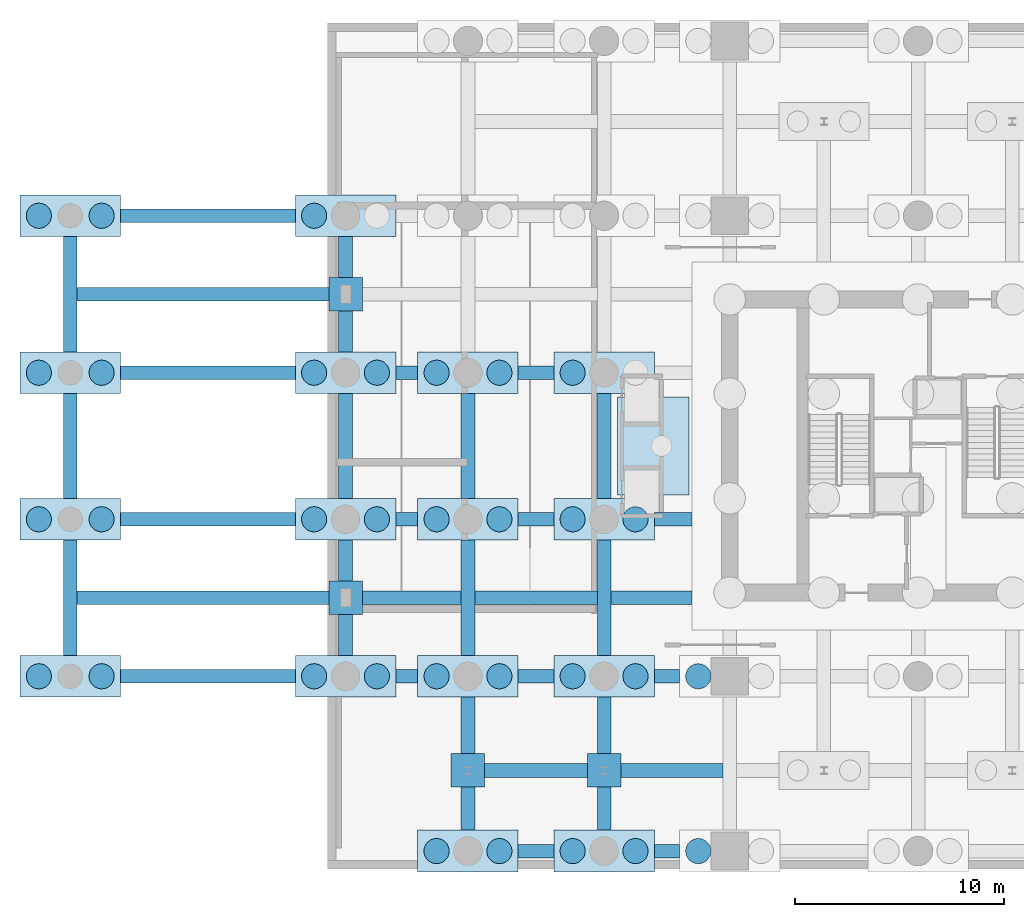
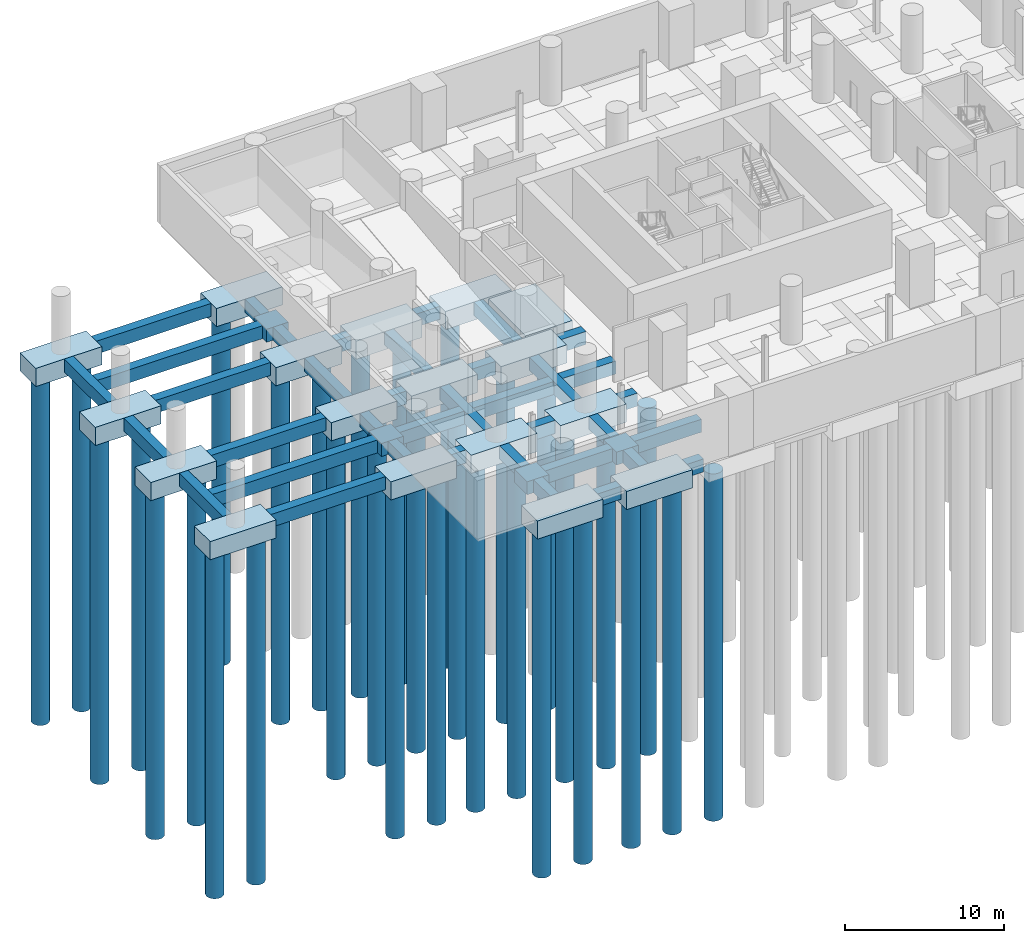
# One storey, part 1 of 12: 58 footings, 32 piles.
"""IFC4 building model written with IfcOpenShell, lengths in metres."""

from ifc_helpers import new_model, si_unit, direction, frame, origin, origin_2d, place, context, subcontext, project, spatial, polyline, circle, outline, extrude, material, layer, layer_set, material_profile, profile_set, type_object, element, save


model = new_model("IFC4")

# Units and contexts
model_context = context("Model", 3, precision=1e-05, world=origin(), true_north=direction((0.0, 1.0)))
body_context = subcontext(model_context, "Body", "Model", "MODEL_VIEW")
ifc_project = project(units=[si_unit("LENGTHUNIT", "METRE"), si_unit("AREAUNIT", "SQUARE_METRE"), si_unit("VOLUMEUNIT", "CUBIC_METRE"), si_unit("PLANEANGLEUNIT", "RADIAN"), si_unit("MASSUNIT", "GRAM", prefix="KILO")], contexts=[model_context])

# Site, building, storey
site_placement = place(None, origin())
site = spatial("IfcSite", under=ifc_project, at=site_placement, CompositionType="ELEMENT")
building_placement = place(site_placement, origin())
building = spatial("IfcBuilding", under=site, at=building_placement, Name="Veldorim Arch Residences", CompositionType="ELEMENT")
storey_placement = place(building_placement, frame((0.0, 0.0, -9.0)))
storey = spatial("IfcBuildingStorey", under=building, at=storey_placement, Name="B2", CompositionType="ELEMENT", Elevation=-9.0)

# Piles
ifc_material_1 = material(Name="Concrete C50/60", Category="concrete")
ifc_material_profile = material_profile(ifc_material_1, circle(Radius=0.60009765625, at=origin_2d()), Name="PILE_1200")
ifc_profile_set = profile_set([ifc_material_profile], Name="Concrete C50/60")
pile_type = type_object("IfcPileType", Name="Bored Rock-Socketed Pile 1200", PredefinedType="BORED", material=ifc_profile_set)
for number, where, z_axis, x_axis, name in (
    (1, (3.14990234375, 13.0, -1.25), (0.0, 0.0, -1.0), (1.0, 0.0, 0.0), "Cap 01 bored pile W"),
    (2, (6.14990234375, 13.0, -1.25), (0.0, 0.0, -1.0), (1.0, 0.0, 0.0), "Cap 01 bored pile E"),
    (3, (3.14990234375, 20.5, -1.25), (0.0, 0.0, -1.0), (1.0, 0.0, 0.0), "Cap 02 bored pile W"),
    (4, (6.14990234375, 20.5, -1.25), (0.0, 0.0, -1.0), (1.0, 0.0, 0.0), "Cap 02 bored pile E"),
    (5, (3.14990234375, 27.5, -1.25), (0.0, 0.0, -1.0), (1.0, 0.0, 0.0), "Cap 03 bored pile W"),
    (6, (6.14990234375, 27.5, -1.25), (0.0, 0.0, -1.0), (1.0, 0.0, 0.0), "Cap 03 bored pile E"),
    (7, (3.14990234375, 35.0, -1.25), (0.0, 0.0, -1.0), (1.0, 0.0, 0.0), "Cap 04 bored pile W"),
    (8, (9.0, 4.64990234375, -1.25), (0.0, 0.0, -1.0), (1.0, 0.0, 0.0), "Cap 05 bored pile W"),
    (9, (12.0, 4.64990234375, -1.25), (0.0, 0.0, -1.0), (1.0, 0.0, 0.0), "Cap 05 bored pile E"),
    (10, (9.0, 13.0, -1.25), (0.0, 0.0, -1.0), (1.0, 0.0, 0.0), "Cap 06 bored pile W"),
    (11, (12.0, 13.0, -1.25), (0.0, 0.0, -1.0), (1.0, 0.0, 0.0), "Cap 06 bored pile E"),
    (12, (9.0, 20.5, -1.25), (0.0, 0.0, -1.0), (1.0, 0.0, 0.0), "Cap 07 bored pile W"),
    (13, (12.0, 20.5, -1.25), (0.0, 0.0, -1.0), (1.0, 0.0, 0.0), "Cap 07 bored pile E"),
    (14, (9.0, 27.5, -1.25), (0.0, 0.0, -1.0), (1.0, 0.0, 0.0), "Cap 08 bored pile W"),
    (15, (12.0, 27.5, -1.25), (0.0, 0.0, -1.0), (1.0, 0.0, 0.0), "Cap 08 bored pile E"),
    (16, (15.5, 4.64990234375, -1.25), (0.0, 0.0, -1.0), (1.0, 0.0, 0.0), "Cap 11 bored pile W"),
    (17, (18.5, 4.64990234375, -1.25), (0.0, 0.0, -1.0), (1.0, 0.0, 0.0), "Cap 11 bored pile E"),
    (18, (15.5, 13.0, -1.25), (0.0, 0.0, -1.0), (1.0, 0.0, 0.0), "Cap 12 bored pile W"),
    (19, (18.5, 13.0, -1.25), (0.0, 0.0, -1.0), (1.0, 0.0, 0.0), "Cap 12 bored pile E"),
    (20, (15.5, 20.5, -1.25), (0.0, 0.0, -1.0), (1.0, 0.0, 0.0), "Cap 13 bored pile W"),
    (21, (18.5, 20.5, -1.25), (0.0, 0.0, -1.0), (1.0, 0.0, 0.0), "Cap 13 bored pile E"),
    (22, (15.5, 27.5, -1.25), (0.0, 0.0, -1.0), (1.0, 0.0, 0.0), "Cap 14 bored pile W"),
    (23, (21.5, 4.64990234375, -1.25), (0.0, 0.0, -1.0), (1.0, 0.0, 0.0), "Cap 33 bored pile W"),
    (24, (21.5, 13.0, -1.25), (0.0, 0.0, -1.0), (1.0, 0.0, 0.0), "Cap 34 bored pile W"),
    (25, (-10.0, 13.0, -1.25), (0.0, 0.0, -1.0), (1.0, 0.0, 0.0), "Cap 45 bored pile W"),
    (26, (-7.0, 13.0, -1.25), (0.0, 0.0, -1.0), (1.0, 0.0, 0.0), "Cap 45 bored pile E"),
    (27, (-10.0, 20.5, -1.25), (0.0, 0.0, -1.0), (1.0, 0.0, 0.0), "Cap 46 bored pile W"),
    (28, (-7.0, 20.5, -1.25), (0.0, 0.0, -1.0), (1.0, 0.0, 0.0), "Cap 46 bored pile E"),
    (29, (-10.0, 27.5, -1.25), (0.0, 0.0, -1.0), (1.0, 0.0, 0.0), "Cap 47 bored pile W"),
    (30, (-7.0, 27.5, -1.25), (0.0, 0.0, -1.0), (1.0, 0.0, 0.0), "Cap 47 bored pile E"),
    (31, (-10.0, 35.0, -1.25), (0.0, 0.0, -1.0), (1.0, 0.0, 0.0), "Cap 48 bored pile W"),
    (32, (-7.0, 35.0, -1.25), (0.0, 0.0, -1.0), (1.0, 0.0, 0.0), "Cap 48 bored pile E"),
):
    element("IfcPile", number, at=place(storey_placement, frame(where, z_axis=z_axis, x_axis=x_axis)), inside=storey, type_object=pile_type, Name=name, PredefinedType="BORED", context=body_context, shape_type="SweptSolid", body=[
        extrude(circle(Radius=0.60009765625, at=origin_2d()), origin(), (0.0, 0.0, 1.0), 26.75),
    ])

# Footings
ifc_material_2 = material(Name="Concrete C50/60", Category="concrete")
ifc_layer_1 = layer(ifc_material_2, 1.0, Name="Continuous Ground Tie Beam 650x1000")
ifc_layer_set_1 = layer_set([ifc_layer_1], Name="Concrete C50/60")
footing_type_1 = type_object("IfcFootingType", Name="Continuous Ground Tie Beam 650x1000", PredefinedType="FOOTING_BEAM", material=ifc_layer_set_1)
footing_1_placement = place(storey_placement, frame((0.0, 0.0, -1.0)))
element("IfcFooting", 33, at=footing_1_placement, inside=storey, type_object=footing_type_1, Name="North-south ground tie beam 001", PredefinedType="FOOTING_BEAM", context=body_context, shape_type="SweptSolid", body=[
    extrude(outline(polyline([(-8.824951171875, 14.0), (-8.175048828125, 14.0), (-8.175048828125, 19.5), (-8.824951171875, 19.5), (-8.824951171875, 14.0)])), origin(), (0.0, 0.0, 1.0), 1.0),
])
footing_2_placement = place(storey_placement, frame((0.0, 0.0, -1.0)))
element("IfcFooting", 34, at=footing_2_placement, inside=storey, type_object=footing_type_1, Name="North-south ground tie beam 002", PredefinedType="FOOTING_BEAM", context=body_context, shape_type="SweptSolid", body=[
    extrude(outline(polyline([(-8.824951171875, 21.5), (-8.175048828125, 21.5), (-8.175048828125, 26.5), (-8.824951171875, 26.5), (-8.824951171875, 21.5)])), origin(), (0.0, 0.0, 1.0), 1.0),
])
footing_3_placement = place(storey_placement, frame((0.0, 0.0, -1.0)))
element("IfcFooting", 35, at=footing_3_placement, inside=storey, type_object=footing_type_1, Name="North-south ground tie beam 003", PredefinedType="FOOTING_BEAM", context=body_context, shape_type="SweptSolid", body=[
    extrude(outline(polyline([(-8.824951171875, 28.5), (-8.175048828125, 28.5), (-8.175048828125, 34.0), (-8.824951171875, 34.0), (-8.824951171875, 28.5)])), origin(), (0.0, 0.0, 1.0), 1.0),
])
footing_4_placement = place(storey_placement, frame((0.0, 0.0, -1.0)))
element("IfcFooting", 36, at=footing_4_placement, inside=storey, type_object=footing_type_1, Name="North-south ground tie beam 004", PredefinedType="FOOTING_BEAM", context=body_context, shape_type="SweptSolid", body=[
    extrude(outline(polyline([(4.324951171875, 14.0), (4.97509765625, 14.0), (4.97509765625, 15.949951171875), (4.324951171875, 15.949951171875), (4.324951171875, 14.0)])), origin(), (0.0, 0.0, 1.0), 1.0),
])
footing_5_placement = place(storey_placement, frame((0.0, 0.0, -1.0)))
element("IfcFooting", 37, at=footing_5_placement, inside=storey, type_object=footing_type_1, Name="North-south ground tie beam 005", PredefinedType="FOOTING_BEAM", context=body_context, shape_type="SweptSolid", body=[
    extrude(outline(polyline([(4.324951171875, 17.550048828125), (4.97509765625, 17.550048828125), (4.97509765625, 19.5), (4.324951171875, 19.5), (4.324951171875, 17.550048828125)])), origin(), (0.0, 0.0, 1.0), 1.0),
])
footing_6_placement = place(storey_placement, frame((0.0, 0.0, -1.0)))
element("IfcFooting", 38, at=footing_6_placement, inside=storey, type_object=footing_type_1, Name="North-south ground tie beam 006", PredefinedType="FOOTING_BEAM", context=body_context, shape_type="SweptSolid", body=[
    extrude(outline(polyline([(4.324951171875, 21.5), (4.97509765625, 21.5), (4.97509765625, 26.5), (4.324951171875, 26.5), (4.324951171875, 21.5)])), origin(), (0.0, 0.0, 1.0), 1.0),
])
footing_7_placement = place(storey_placement, frame((0.0, 0.0, -1.0)))
element("IfcFooting", 39, at=footing_7_placement, inside=storey, type_object=footing_type_1, Name="North-south ground tie beam 007", PredefinedType="FOOTING_BEAM", context=body_context, shape_type="SweptSolid", body=[
    extrude(outline(polyline([(4.324951171875, 28.5), (4.97509765625, 28.5), (4.97509765625, 30.449951171875), (4.324951171875, 30.449951171875), (4.324951171875, 28.5)])), origin(), (0.0, 0.0, 1.0), 1.0),
])
footing_8_placement = place(storey_placement, frame((0.0, 0.0, -1.0)))
element("IfcFooting", 40, at=footing_8_placement, inside=storey, type_object=footing_type_1, Name="North-south ground tie beam 008", PredefinedType="FOOTING_BEAM", context=body_context, shape_type="SweptSolid", body=[
    extrude(outline(polyline([(4.324951171875, 32.050048828125), (4.97509765625, 32.050048828125), (4.97509765625, 34.0), (4.324951171875, 34.0), (4.324951171875, 32.050048828125)])), origin(), (0.0, 0.0, 1.0), 1.0),
])
footing_9_placement = place(storey_placement, frame((0.0, 0.0, -1.0)))
element("IfcFooting", 41, at=footing_9_placement, inside=storey, type_object=footing_type_1, Name="North-south ground tie beam 009", PredefinedType="FOOTING_BEAM", context=body_context, shape_type="SweptSolid", body=[
    extrude(outline(polyline([(10.175048828125, 5.64990234375), (10.824951171875, 5.64990234375), (10.824951171875, 7.699951171875), (10.175048828125, 7.699951171875), (10.175048828125, 5.64990234375)])), origin(), (0.0, 0.0, 1.0), 1.0),
])
footing_10_placement = place(storey_placement, frame((0.0, 0.0, -1.0)))
element("IfcFooting", 42, at=footing_10_placement, inside=storey, type_object=footing_type_1, Name="North-south ground tie beam 010", PredefinedType="FOOTING_BEAM", context=body_context, shape_type="SweptSolid", body=[
    extrude(outline(polyline([(10.175048828125, 9.300048828125), (10.824951171875, 9.300048828125), (10.824951171875, 12.0), (10.175048828125, 12.0), (10.175048828125, 9.300048828125)])), origin(), (0.0, 0.0, 1.0), 1.0),
])
footing_11_placement = place(storey_placement, frame((0.0, 0.0, -1.0)))
element("IfcFooting", 43, at=footing_11_placement, inside=storey, type_object=footing_type_1, Name="North-south ground tie beam 011", PredefinedType="FOOTING_BEAM", context=body_context, shape_type="SweptSolid", body=[
    extrude(outline(polyline([(10.175048828125, 14.0), (10.824951171875, 14.0), (10.824951171875, 19.5), (10.175048828125, 19.5), (10.175048828125, 14.0)])), origin(), (0.0, 0.0, 1.0), 1.0),
])
footing_12_placement = place(storey_placement, frame((0.0, 0.0, -1.0)))
element("IfcFooting", 44, at=footing_12_placement, inside=storey, type_object=footing_type_1, Name="North-south ground tie beam 012", PredefinedType="FOOTING_BEAM", context=body_context, shape_type="SweptSolid", body=[
    extrude(outline(polyline([(10.175048828125, 21.5), (10.824951171875, 21.5), (10.824951171875, 26.5), (10.175048828125, 26.5), (10.175048828125, 21.5)])), origin(), (0.0, 0.0, 1.0), 1.0),
])
footing_13_placement = place(storey_placement, frame((0.0, 0.0, -1.0)))
element("IfcFooting", 45, at=footing_13_placement, inside=storey, type_object=footing_type_1, Name="North-south ground tie beam 015", PredefinedType="FOOTING_BEAM", context=body_context, shape_type="SweptSolid", body=[
    extrude(outline(polyline([(16.675048828125, 5.64990234375), (17.324951171875, 5.64990234375), (17.324951171875, 7.699951171875), (16.675048828125, 7.699951171875), (16.675048828125, 5.64990234375)])), origin(), (0.0, 0.0, 1.0), 1.0),
])
footing_14_placement = place(storey_placement, frame((0.0, 0.0, -1.0)))
element("IfcFooting", 46, at=footing_14_placement, inside=storey, type_object=footing_type_1, Name="North-south ground tie beam 016", PredefinedType="FOOTING_BEAM", context=body_context, shape_type="SweptSolid", body=[
    extrude(outline(polyline([(16.675048828125, 9.300048828125), (17.324951171875, 9.300048828125), (17.324951171875, 12.0), (16.675048828125, 12.0), (16.675048828125, 9.300048828125)])), origin(), (0.0, 0.0, 1.0), 1.0),
])
footing_15_placement = place(storey_placement, frame((0.0, 0.0, -1.0)))
element("IfcFooting", 47, at=footing_15_placement, inside=storey, type_object=footing_type_1, Name="North-south ground tie beam 017", PredefinedType="FOOTING_BEAM", context=body_context, shape_type="SweptSolid", body=[
    extrude(outline(polyline([(16.675048828125, 14.0), (17.324951171875, 14.0), (17.324951171875, 19.5), (16.675048828125, 19.5), (16.675048828125, 14.0)])), origin(), (0.0, 0.0, 1.0), 1.0),
])
footing_16_placement = place(storey_placement, frame((0.0, 0.0, -1.0)))
element("IfcFooting", 48, at=footing_16_placement, inside=storey, type_object=footing_type_1, Name="North-south ground tie beam 018", PredefinedType="FOOTING_BEAM", context=body_context, shape_type="SweptSolid", body=[
    extrude(outline(polyline([(16.675048828125, 21.5), (17.324951171875, 21.5), (17.324951171875, 26.5), (16.675048828125, 26.5), (16.675048828125, 21.5)])), origin(), (0.0, 0.0, 1.0), 1.0),
])
footing_17_placement = place(storey_placement, frame((0.0, 0.0, -1.0)))
element("IfcFooting", 49, at=footing_17_placement, inside=storey, type_object=footing_type_1, Name="East-west ground tie beam 059", PredefinedType="FOOTING_BEAM", context=body_context, shape_type="SweptSolid", body=[
    extrude(outline(polyline([(12.89990234375, 4.324951171875), (14.60009765625, 4.324951171875), (14.60009765625, 4.97509765625), (12.89990234375, 4.97509765625), (12.89990234375, 4.324951171875)])), origin(), (0.0, 0.0, 1.0), 1.0),
])
footing_18_placement = place(storey_placement, frame((0.0, 0.0, -1.0)))
element("IfcFooting", 50, at=footing_18_placement, inside=storey, type_object=footing_type_1, Name="East-west ground tie beam 060", PredefinedType="FOOTING_BEAM", context=body_context, shape_type="SweptSolid", body=[
    extrude(outline(polyline([(19.39990234375, 4.324951171875), (20.60009765625, 4.324951171875), (20.60009765625, 4.97509765625), (19.39990234375, 4.97509765625), (19.39990234375, 4.324951171875)])), origin(), (0.0, 0.0, 1.0), 1.0),
])
footing_19_placement = place(storey_placement, frame((0.0, 0.0, -1.0)))
element("IfcFooting", 51, at=footing_19_placement, inside=storey, type_object=footing_type_1, Name="East-west ground tie beam 065", PredefinedType="FOOTING_BEAM", context=body_context, shape_type="SweptSolid", body=[
    extrude(outline(polyline([(11.300048828125, 8.175048828125), (16.199951171875, 8.175048828125), (16.199951171875, 8.824951171875), (11.300048828125, 8.824951171875), (11.300048828125, 8.175048828125)])), origin(), (0.0, 0.0, 1.0), 1.0),
])
footing_20_placement = place(storey_placement, frame((0.0, 0.0, -1.0)))
element("IfcFooting", 52, at=footing_20_placement, inside=storey, type_object=footing_type_1, Name="East-west ground tie beam 066", PredefinedType="FOOTING_BEAM", context=body_context, shape_type="SweptSolid", body=[
    extrude(outline(polyline([(17.800048828125, 8.175048828125), (22.675048828125, 8.175048828125), (22.675048828125, 8.824951171875), (17.800048828125, 8.824951171875), (17.800048828125, 8.175048828125)])), origin(), (0.0, 0.0, 1.0), 1.0),
])
footing_21_placement = place(storey_placement, frame((0.0, 0.0, -1.0)))
element("IfcFooting", 53, at=footing_21_placement, inside=storey, type_object=footing_type_1, Name="East-west ground tie beam 073", PredefinedType="FOOTING_BEAM", context=body_context, shape_type="SweptSolid", body=[
    extrude(outline(polyline([(-6.10009765625, 12.675048828125), (2.25, 12.675048828125), (2.25, 13.324951171875), (-6.10009765625, 13.324951171875), (-6.10009765625, 12.675048828125)])), origin(), (0.0, 0.0, 1.0), 1.0),
])
footing_22_placement = place(storey_placement, frame((0.0, 0.0, -1.0)))
element("IfcFooting", 54, at=footing_22_placement, inside=storey, type_object=footing_type_1, Name="East-west ground tie beam 074", PredefinedType="FOOTING_BEAM", context=body_context, shape_type="SweptSolid", body=[
    extrude(outline(polyline([(7.050048828125, 12.675048828125), (8.10009765625, 12.675048828125), (8.10009765625, 13.324951171875), (7.050048828125, 13.324951171875), (7.050048828125, 12.675048828125)])), origin(), (0.0, 0.0, 1.0), 1.0),
])
footing_23_placement = place(storey_placement, frame((0.0, 0.0, -1.0)))
element("IfcFooting", 55, at=footing_23_placement, inside=storey, type_object=footing_type_1, Name="East-west ground tie beam 075", PredefinedType="FOOTING_BEAM", context=body_context, shape_type="SweptSolid", body=[
    extrude(outline(polyline([(12.89990234375, 12.675048828125), (14.60009765625, 12.675048828125), (14.60009765625, 13.324951171875), (12.89990234375, 13.324951171875), (12.89990234375, 12.675048828125)])), origin(), (0.0, 0.0, 1.0), 1.0),
])
footing_24_placement = place(storey_placement, frame((0.0, 0.0, -1.0)))
element("IfcFooting", 56, at=footing_24_placement, inside=storey, type_object=footing_type_1, Name="East-west ground tie beam 076", PredefinedType="FOOTING_BEAM", context=body_context, shape_type="SweptSolid", body=[
    extrude(outline(polyline([(19.39990234375, 12.675048828125), (20.60009765625, 12.675048828125), (20.60009765625, 13.324951171875), (19.39990234375, 13.324951171875), (19.39990234375, 12.675048828125)])), origin(), (0.0, 0.0, 1.0), 1.0),
])
footing_25_placement = place(storey_placement, frame((0.0, 0.0, -1.0)))
element("IfcFooting", 57, at=footing_25_placement, inside=storey, type_object=footing_type_1, Name="East-west ground tie beam 085", PredefinedType="FOOTING_BEAM", context=body_context, shape_type="SweptSolid", body=[
    extrude(outline(polyline([(-8.175048828125, 16.425048828125), (3.85009765625, 16.425048828125), (3.85009765625, 17.074951171875), (-8.175048828125, 17.074951171875), (-8.175048828125, 16.425048828125)])), origin(), (0.0, 0.0, 1.0), 1.0),
])
footing_26_placement = place(storey_placement, frame((0.0, 0.0, -1.0)))
element("IfcFooting", 58, at=footing_26_placement, inside=storey, type_object=footing_type_1, Name="East-west ground tie beam 086", PredefinedType="FOOTING_BEAM", context=body_context, shape_type="SweptSolid", body=[
    extrude(outline(polyline([(5.449951171875, 16.425048828125), (10.175048828125, 16.425048828125), (10.175048828125, 17.074951171875), (5.449951171875, 17.074951171875), (5.449951171875, 16.425048828125)])), origin(), (0.0, 0.0, 1.0), 1.0),
])
footing_27_placement = place(storey_placement, frame((0.0, 0.0, -1.0)))
element("IfcFooting", 59, at=footing_27_placement, inside=storey, type_object=footing_type_1, Name="East-west ground tie beam 087", PredefinedType="FOOTING_BEAM", context=body_context, shape_type="SweptSolid", body=[
    extrude(outline(polyline([(10.824951171875, 16.425048828125), (16.675048828125, 16.425048828125), (16.675048828125, 17.074951171875), (10.824951171875, 17.074951171875), (10.824951171875, 16.425048828125)])), origin(), (0.0, 0.0, 1.0), 1.0),
])
footing_28_placement = place(storey_placement, frame((0.0, 0.0, -1.0)))
element("IfcFooting", 60, at=footing_28_placement, inside=storey, type_object=footing_type_1, Name="East-west ground tie beam 088", PredefinedType="FOOTING_BEAM", context=body_context, shape_type="SweptSolid", body=[
    extrude(outline(polyline([(17.324951171875, 16.425048828125), (21.199951171875, 16.425048828125), (21.199951171875, 17.074951171875), (17.324951171875, 17.074951171875), (17.324951171875, 16.425048828125)])), origin(), (0.0, 0.0, 1.0), 1.0),
])
footing_29_placement = place(storey_placement, frame((0.0, 0.0, -1.0)))
element("IfcFooting", 61, at=footing_29_placement, inside=storey, type_object=footing_type_1, Name="East-west ground tie beam 093", PredefinedType="FOOTING_BEAM", context=body_context, shape_type="SweptSolid", body=[
    extrude(outline(polyline([(-6.10009765625, 20.175048828125), (2.25, 20.175048828125), (2.25, 20.824951171875), (-6.10009765625, 20.824951171875), (-6.10009765625, 20.175048828125)])), origin(), (0.0, 0.0, 1.0), 1.0),
])
footing_30_placement = place(storey_placement, frame((0.0, 0.0, -1.0)))
element("IfcFooting", 62, at=footing_30_placement, inside=storey, type_object=footing_type_1, Name="East-west ground tie beam 094", PredefinedType="FOOTING_BEAM", context=body_context, shape_type="SweptSolid", body=[
    extrude(outline(polyline([(7.050048828125, 20.175048828125), (8.10009765625, 20.175048828125), (8.10009765625, 20.824951171875), (7.050048828125, 20.824951171875), (7.050048828125, 20.175048828125)])), origin(), (0.0, 0.0, 1.0), 1.0),
])
footing_31_placement = place(storey_placement, frame((0.0, 0.0, -1.0)))
element("IfcFooting", 63, at=footing_31_placement, inside=storey, type_object=footing_type_1, Name="East-west ground tie beam 095", PredefinedType="FOOTING_BEAM", context=body_context, shape_type="SweptSolid", body=[
    extrude(outline(polyline([(12.89990234375, 20.175048828125), (14.60009765625, 20.175048828125), (14.60009765625, 20.824951171875), (12.89990234375, 20.824951171875), (12.89990234375, 20.175048828125)])), origin(), (0.0, 0.0, 1.0), 1.0),
])
footing_32_placement = place(storey_placement, frame((0.0, 0.0, -1.0)))
element("IfcFooting", 64, at=footing_32_placement, inside=storey, type_object=footing_type_1, Name="East-west ground tie beam 096", PredefinedType="FOOTING_BEAM", context=body_context, shape_type="SweptSolid", body=[
    extrude(outline(polyline([(19.39990234375, 20.175048828125), (21.199951171875, 20.175048828125), (21.199951171875, 20.824951171875), (19.39990234375, 20.824951171875), (19.39990234375, 20.175048828125)])), origin(), (0.0, 0.0, 1.0), 1.0),
])
footing_33_placement = place(storey_placement, frame((0.0, 0.0, -1.0)))
element("IfcFooting", 65, at=footing_33_placement, inside=storey, type_object=footing_type_1, Name="East-west ground tie beam 101", PredefinedType="FOOTING_BEAM", context=body_context, shape_type="SweptSolid", body=[
    extrude(outline(polyline([(-6.10009765625, 27.175048828125), (2.25, 27.175048828125), (2.25, 27.824951171875), (-6.10009765625, 27.824951171875), (-6.10009765625, 27.175048828125)])), origin(), (0.0, 0.0, 1.0), 1.0),
])
footing_34_placement = place(storey_placement, frame((0.0, 0.0, -1.0)))
element("IfcFooting", 66, at=footing_34_placement, inside=storey, type_object=footing_type_1, Name="East-west ground tie beam 102", PredefinedType="FOOTING_BEAM", context=body_context, shape_type="SweptSolid", body=[
    extrude(outline(polyline([(7.050048828125, 27.175048828125), (8.10009765625, 27.175048828125), (8.10009765625, 27.824951171875), (7.050048828125, 27.824951171875), (7.050048828125, 27.175048828125)])), origin(), (0.0, 0.0, 1.0), 1.0),
])
footing_35_placement = place(storey_placement, frame((0.0, 0.0, -1.0)))
element("IfcFooting", 67, at=footing_35_placement, inside=storey, type_object=footing_type_1, Name="East-west ground tie beam 103", PredefinedType="FOOTING_BEAM", context=body_context, shape_type="SweptSolid", body=[
    extrude(outline(polyline([(12.89990234375, 27.175048828125), (14.60009765625, 27.175048828125), (14.60009765625, 27.824951171875), (12.89990234375, 27.824951171875), (12.89990234375, 27.175048828125)])), origin(), (0.0, 0.0, 1.0), 1.0),
])
footing_36_placement = place(storey_placement, frame((0.0, 0.0, -1.0)))
element("IfcFooting", 68, at=footing_36_placement, inside=storey, type_object=footing_type_1, Name="East-west ground tie beam 109", PredefinedType="FOOTING_BEAM", context=body_context, shape_type="SweptSolid", body=[
    extrude(outline(polyline([(-8.175048828125, 30.925048828125), (3.85009765625, 30.925048828125), (3.85009765625, 31.574951171875), (-8.175048828125, 31.574951171875), (-8.175048828125, 30.925048828125)])), origin(), (0.0, 0.0, 1.0), 1.0),
])
footing_37_placement = place(storey_placement, frame((0.0, 0.0, -1.0)))
element("IfcFooting", 69, at=footing_37_placement, inside=storey, type_object=footing_type_1, Name="East-west ground tie beam 117", PredefinedType="FOOTING_BEAM", context=body_context, shape_type="SweptSolid", body=[
    extrude(outline(polyline([(-6.10009765625, 34.675048828125), (2.25, 34.675048828125), (2.25, 35.324951171875), (-6.10009765625, 35.324951171875), (-6.10009765625, 34.675048828125)])), origin(), (0.0, 0.0, 1.0), 1.0),
])
ifc_material_3 = material(Name="Concrete C50/60", Category="concrete")
ifc_layer_2 = layer(ifc_material_3, 1.39990234375, Name="Infill Two-Pile Cap 4300x1800x1400")
ifc_layer_set_2 = layer_set([ifc_layer_2], Name="Concrete C50/60")
footing_type_2 = type_object("IfcFootingType", Name="Infill Two-Pile Cap 4300x1800x1400", PredefinedType="PILE_CAP", material=ifc_layer_set_2)
footing_38_placement = place(storey_placement, frame((0.0, 0.0, -1.39990234375)))
element("IfcFooting", 70, at=footing_38_placement, inside=storey, type_object=footing_type_2, Name="Clinic lift core bored-pile cap", PredefinedType="PILE_CAP", context=body_context, shape_type="SweptSolid", body=[
    extrude(outline(polyline([(17.64990234375, 21.64990234375), (21.050048828125, 21.64990234375), (21.050048828125, 26.35009765625), (17.64990234375, 26.35009765625), (17.64990234375, 21.64990234375)])), origin(), (0.0, 0.0, 1.0), 1.39990234375),
])
ifc_material_4 = material(Name="Concrete C50/60", Category="concrete")
ifc_layer_3 = layer(ifc_material_4, 1.39990234375, Name="Perimeter Two-Pile Cap 4800x2000x1400")
ifc_layer_set_3 = layer_set([ifc_layer_3], Name="Concrete C50/60")
footing_type_3 = type_object("IfcFootingType", Name="Perimeter Two-Pile Cap 4800x2000x1400", PredefinedType="PILE_CAP", material=ifc_layer_set_3)
footing_39_placement = place(storey_placement, frame((0.0, 0.0, -1.39990234375)))
element("IfcFooting", 71, at=footing_39_placement, inside=storey, type_object=footing_type_3, Name="Perimeter two-pile cap 01", PredefinedType="PILE_CAP", context=body_context, shape_type="SweptSolid", body=[
    extrude(outline(polyline([(2.25, 12.0), (7.050048828125, 12.0), (7.050048828125, 14.0), (2.25, 14.0), (2.25, 12.0)])), origin(), (0.0, 0.0, 1.0), 1.39990234375),
])
footing_40_placement = place(storey_placement, frame((0.0, 0.0, -1.39990234375)))
element("IfcFooting", 72, at=footing_40_placement, inside=storey, type_object=footing_type_3, Name="Perimeter two-pile cap 02", PredefinedType="PILE_CAP", context=body_context, shape_type="SweptSolid", body=[
    extrude(outline(polyline([(2.25, 19.5), (7.050048828125, 19.5), (7.050048828125, 21.5), (2.25, 21.5), (2.25, 19.5)])), origin(), (0.0, 0.0, 1.0), 1.39990234375),
])
footing_41_placement = place(storey_placement, frame((0.0, 0.0, -1.39990234375)))
element("IfcFooting", 73, at=footing_41_placement, inside=storey, type_object=footing_type_3, Name="Perimeter two-pile cap 03", PredefinedType="PILE_CAP", context=body_context, shape_type="SweptSolid", body=[
    extrude(outline(polyline([(2.25, 26.5), (7.050048828125, 26.5), (7.050048828125, 28.5), (2.25, 28.5), (2.25, 26.5)])), origin(), (0.0, 0.0, 1.0), 1.39990234375),
])
footing_42_placement = place(storey_placement, frame((0.0, 0.0, -1.39990234375)))
element("IfcFooting", 74, at=footing_42_placement, inside=storey, type_object=footing_type_3, Name="Perimeter two-pile cap 04", PredefinedType="PILE_CAP", context=body_context, shape_type="SweptSolid", body=[
    extrude(outline(polyline([(2.25, 34.0), (7.050048828125, 34.0), (7.050048828125, 36.0), (2.25, 36.0), (2.25, 34.0)])), origin(), (0.0, 0.0, 1.0), 1.39990234375),
])
footing_43_placement = place(storey_placement, frame((0.0, 0.0, -1.39990234375)))
element("IfcFooting", 75, at=footing_43_placement, inside=storey, type_object=footing_type_3, Name="Perimeter two-pile cap 05", PredefinedType="PILE_CAP", context=body_context, shape_type="SweptSolid", body=[
    extrude(outline(polyline([(8.10009765625, 3.64990234375), (12.89990234375, 3.64990234375), (12.89990234375, 5.64990234375), (8.10009765625, 5.64990234375), (8.10009765625, 3.64990234375)])), origin(), (0.0, 0.0, 1.0), 1.39990234375),
])
footing_44_placement = place(storey_placement, frame((0.0, 0.0, -1.39990234375)))
element("IfcFooting", 76, at=footing_44_placement, inside=storey, type_object=footing_type_3, Name="Perimeter two-pile cap 06", PredefinedType="PILE_CAP", context=body_context, shape_type="SweptSolid", body=[
    extrude(outline(polyline([(8.10009765625, 12.0), (12.89990234375, 12.0), (12.89990234375, 14.0), (8.10009765625, 14.0), (8.10009765625, 12.0)])), origin(), (0.0, 0.0, 1.0), 1.39990234375),
])
footing_45_placement = place(storey_placement, frame((0.0, 0.0, -1.39990234375)))
element("IfcFooting", 77, at=footing_45_placement, inside=storey, type_object=footing_type_3, Name="Perimeter two-pile cap 07", PredefinedType="PILE_CAP", context=body_context, shape_type="SweptSolid", body=[
    extrude(outline(polyline([(8.10009765625, 19.5), (12.89990234375, 19.5), (12.89990234375, 21.5), (8.10009765625, 21.5), (8.10009765625, 19.5)])), origin(), (0.0, 0.0, 1.0), 1.39990234375),
])
footing_46_placement = place(storey_placement, frame((0.0, 0.0, -1.39990234375)))
element("IfcFooting", 78, at=footing_46_placement, inside=storey, type_object=footing_type_3, Name="Perimeter two-pile cap 08", PredefinedType="PILE_CAP", context=body_context, shape_type="SweptSolid", body=[
    extrude(outline(polyline([(8.10009765625, 26.5), (12.89990234375, 26.5), (12.89990234375, 28.5), (8.10009765625, 28.5), (8.10009765625, 26.5)])), origin(), (0.0, 0.0, 1.0), 1.39990234375),
])
footing_47_placement = place(storey_placement, frame((0.0, 0.0, -1.39990234375)))
element("IfcFooting", 79, at=footing_47_placement, inside=storey, type_object=footing_type_3, Name="Perimeter two-pile cap 11", PredefinedType="PILE_CAP", context=body_context, shape_type="SweptSolid", body=[
    extrude(outline(polyline([(14.60009765625, 3.64990234375), (19.39990234375, 3.64990234375), (19.39990234375, 5.64990234375), (14.60009765625, 5.64990234375), (14.60009765625, 3.64990234375)])), origin(), (0.0, 0.0, 1.0), 1.39990234375),
])
footing_48_placement = place(storey_placement, frame((0.0, 0.0, -1.39990234375)))
element("IfcFooting", 80, at=footing_48_placement, inside=storey, type_object=footing_type_3, Name="Perimeter two-pile cap 12", PredefinedType="PILE_CAP", context=body_context, shape_type="SweptSolid", body=[
    extrude(outline(polyline([(14.60009765625, 12.0), (19.39990234375, 12.0), (19.39990234375, 14.0), (14.60009765625, 14.0), (14.60009765625, 12.0)])), origin(), (0.0, 0.0, 1.0), 1.39990234375),
])
footing_49_placement = place(storey_placement, frame((0.0, 0.0, -1.39990234375)))
element("IfcFooting", 81, at=footing_49_placement, inside=storey, type_object=footing_type_3, Name="Perimeter two-pile cap 13", PredefinedType="PILE_CAP", context=body_context, shape_type="SweptSolid", body=[
    extrude(outline(polyline([(14.60009765625, 19.5), (19.39990234375, 19.5), (19.39990234375, 21.5), (14.60009765625, 21.5), (14.60009765625, 19.5)])), origin(), (0.0, 0.0, 1.0), 1.39990234375),
])
footing_50_placement = place(storey_placement, frame((0.0, 0.0, -1.39990234375)))
element("IfcFooting", 82, at=footing_50_placement, inside=storey, type_object=footing_type_3, Name="Perimeter two-pile cap 14", PredefinedType="PILE_CAP", context=body_context, shape_type="SweptSolid", body=[
    extrude(outline(polyline([(14.60009765625, 26.5), (19.39990234375, 26.5), (19.39990234375, 28.5), (14.60009765625, 28.5), (14.60009765625, 26.5)])), origin(), (0.0, 0.0, 1.0), 1.39990234375),
])
footing_51_placement = place(storey_placement, frame((0.0, 0.0, -1.39990234375)))
element("IfcFooting", 83, at=footing_51_placement, inside=storey, type_object=footing_type_3, Name="Perimeter two-pile cap 45", PredefinedType="PILE_CAP", context=body_context, shape_type="SweptSolid", body=[
    extrude(outline(polyline([(-10.89990234375, 12.0), (-6.10009765625, 12.0), (-6.10009765625, 14.0), (-10.89990234375, 14.0), (-10.89990234375, 12.0)])), origin(), (0.0, 0.0, 1.0), 1.39990234375),
])
footing_52_placement = place(storey_placement, frame((0.0, 0.0, -1.39990234375)))
element("IfcFooting", 84, at=footing_52_placement, inside=storey, type_object=footing_type_3, Name="Perimeter two-pile cap 46", PredefinedType="PILE_CAP", context=body_context, shape_type="SweptSolid", body=[
    extrude(outline(polyline([(-10.89990234375, 19.5), (-6.10009765625, 19.5), (-6.10009765625, 21.5), (-10.89990234375, 21.5), (-10.89990234375, 19.5)])), origin(), (0.0, 0.0, 1.0), 1.39990234375),
])
footing_53_placement = place(storey_placement, frame((0.0, 0.0, -1.39990234375)))
element("IfcFooting", 85, at=footing_53_placement, inside=storey, type_object=footing_type_3, Name="Perimeter two-pile cap 47", PredefinedType="PILE_CAP", context=body_context, shape_type="SweptSolid", body=[
    extrude(outline(polyline([(-10.89990234375, 26.5), (-6.10009765625, 26.5), (-6.10009765625, 28.5), (-10.89990234375, 28.5), (-10.89990234375, 26.5)])), origin(), (0.0, 0.0, 1.0), 1.39990234375),
])
footing_54_placement = place(storey_placement, frame((0.0, 0.0, -1.39990234375)))
element("IfcFooting", 86, at=footing_54_placement, inside=storey, type_object=footing_type_3, Name="Perimeter two-pile cap 48", PredefinedType="PILE_CAP", context=body_context, shape_type="SweptSolid", body=[
    extrude(outline(polyline([(-10.89990234375, 34.0), (-6.10009765625, 34.0), (-6.10009765625, 36.0), (-10.89990234375, 36.0), (-10.89990234375, 34.0)])), origin(), (0.0, 0.0, 1.0), 1.39990234375),
])
ifc_material_5 = material(Name="Concrete C50/60", Category="concrete")
ifc_layer_4 = layer(ifc_material_5, 1.0, Name="Secondary Column Pad Footing 1600x1600x1000")
ifc_layer_set_4 = layer_set([ifc_layer_4], Name="Concrete C50/60")
footing_type_4 = type_object("IfcFootingType", Name="Secondary Column Pad Footing 1600x1600x1000", PredefinedType="PAD_FOOTING", material=ifc_layer_set_4)
footing_55_placement = place(storey_placement, frame((0.0, 0.0, -1.0)))
element("IfcFooting", 87, at=footing_55_placement, inside=storey, type_object=footing_type_4, Name="Basement pad footing 01", PredefinedType="PAD_FOOTING", context=body_context, shape_type="SweptSolid", body=[
    extrude(outline(polyline([(9.699951171875, 7.699951171875), (11.300048828125, 7.699951171875), (11.300048828125, 9.300048828125), (9.699951171875, 9.300048828125), (9.699951171875, 7.699951171875)])), origin(), (0.0, 0.0, 1.0), 1.0),
])
footing_56_placement = place(storey_placement, frame((0.0, 0.0, -1.0)))
element("IfcFooting", 88, at=footing_56_placement, inside=storey, type_object=footing_type_4, Name="Basement pad footing 02", PredefinedType="PAD_FOOTING", context=body_context, shape_type="SweptSolid", body=[
    extrude(outline(polyline([(16.199951171875, 7.699951171875), (17.800048828125, 7.699951171875), (17.800048828125, 9.300048828125), (16.199951171875, 9.300048828125), (16.199951171875, 7.699951171875)])), origin(), (0.0, 0.0, 1.0), 1.0),
])
footing_57_placement = place(storey_placement, frame((0.0, 0.0, -1.0)))
element("IfcFooting", 89, at=footing_57_placement, inside=storey, type_object=footing_type_4, Name="Basement pad footing 07", PredefinedType="PAD_FOOTING", context=body_context, shape_type="SweptSolid", body=[
    extrude(outline(polyline([(3.85009765625, 15.949951171875), (5.449951171875, 15.949951171875), (5.449951171875, 17.550048828125), (3.85009765625, 17.550048828125), (3.85009765625, 15.949951171875)])), origin(), (0.0, 0.0, 1.0), 1.0),
])
footing_58_placement = place(storey_placement, frame((0.0, 0.0, -1.0)))
element("IfcFooting", 90, at=footing_58_placement, inside=storey, type_object=footing_type_4, Name="Basement pad footing 08", PredefinedType="PAD_FOOTING", context=body_context, shape_type="SweptSolid", body=[
    extrude(outline(polyline([(3.85009765625, 30.449951171875), (5.449951171875, 30.449951171875), (5.449951171875, 32.050048828125), (3.85009765625, 32.050048828125), (3.85009765625, 30.449951171875)])), origin(), (0.0, 0.0, 1.0), 1.0),
])

save(model, "model.ifc")
